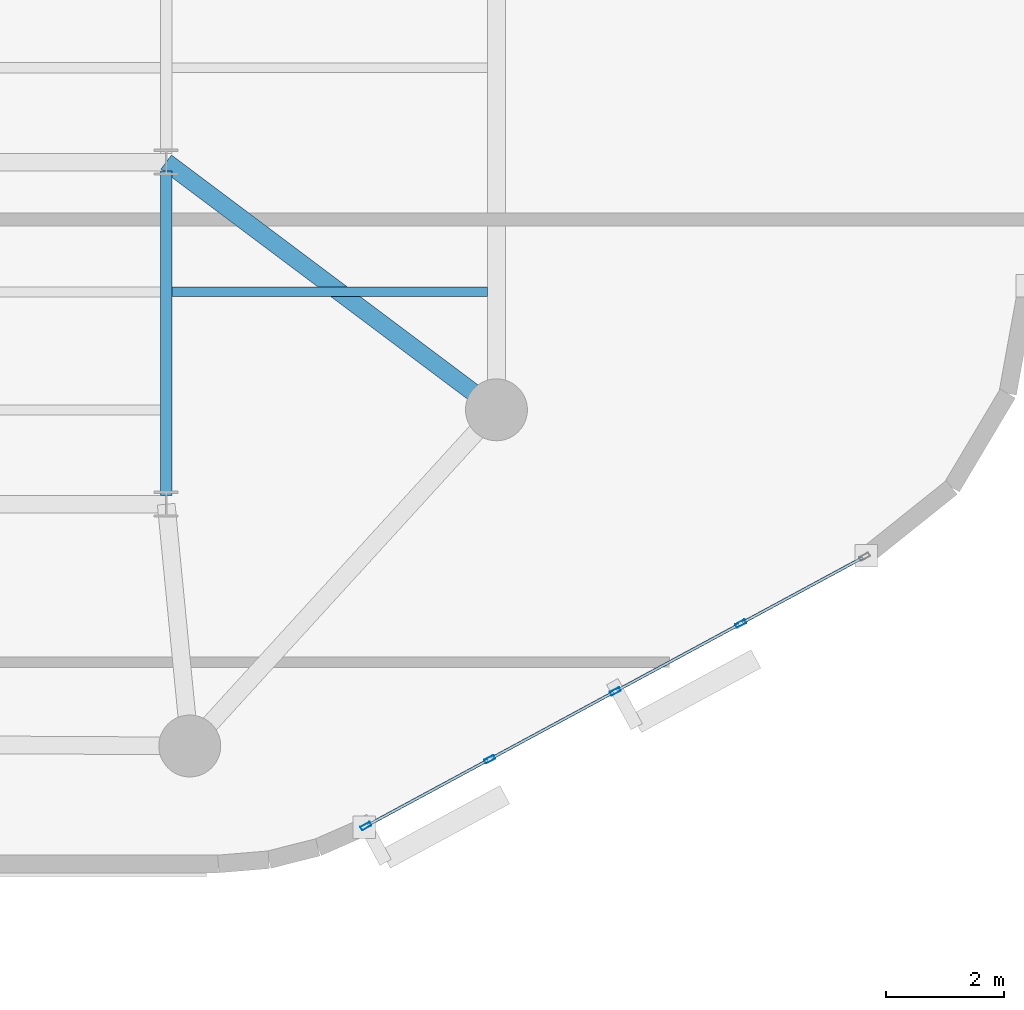
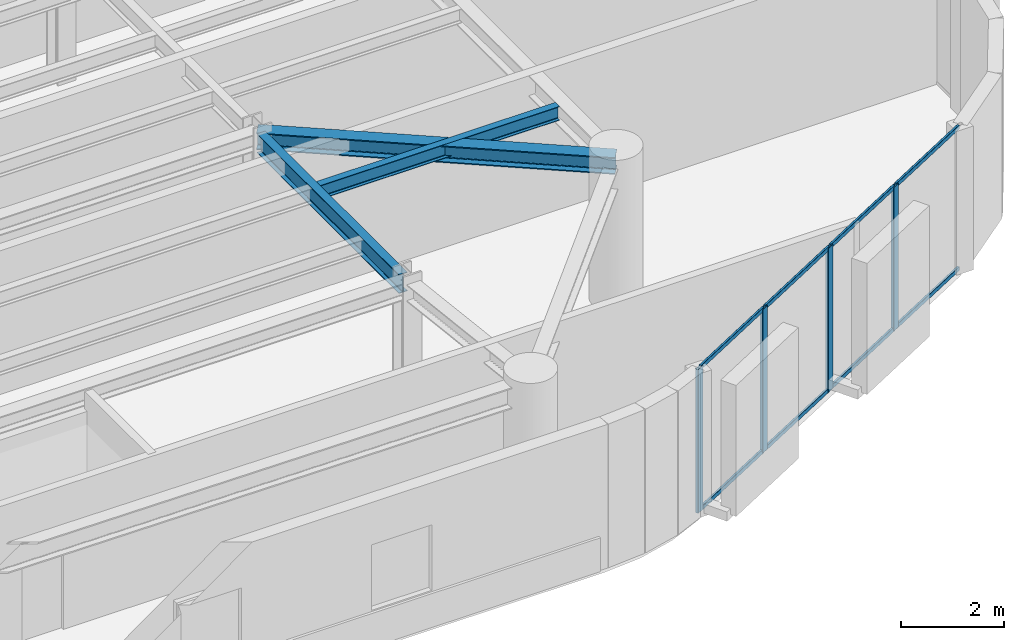
# One storey, part 2 of 13: 12 members, 3 beams, 1 element without a shape of its own.
"""IFC4 building model written with IfcOpenShell, lengths in metres."""

import ifcopenshell
import ifcopenshell.guid

model = None  # the IFC model being written
_history = None  # IfcOwnerHistory: only IFC2X3 demands one
_inside = {}  # id of a spatial element -> (the spatial element, [elements in it])
_under = {}  # id of a project, library or spatial element -> (it, [spatial elements below it])
_declared = {}  # id of a project -> (the project, [libraries it declares])
_typed = {}  # id of a type object -> (the type object, [elements of that type])
_made_of = {}  # id of a material, layer set ... -> (it, [elements and type objects made of it])


def new_model(schema):
    """Start an empty IFC model of exactly this schema.

    Asked for "IFC4X3", IfcOpenShell would pick the latest addendum, in which some entities
    have other attributes; the version numbers below select the first issue.
    IFC2X3 requires an IfcOwnerHistory on every rooted entity: one is made here for all.
    """
    global model, _history
    if schema == "IFC4X3":
        model = ifcopenshell.file(schema_version=(4, 3, 0, 0))
    else:
        model = ifcopenshell.file(schema=schema)
    _inside.clear()
    _under.clear()
    _declared.clear()
    _typed.clear()
    _made_of.clear()
    _history = None
    if model.schema == "IFC2X3":
        org = make("IfcOrganization", Name="unknown")
        user = make(
            "IfcPersonAndOrganization",
            ThePerson=make("IfcPerson", FamilyName="unknown"),
            TheOrganization=org,
        )
        app = make(
            "IfcApplication",
            ApplicationDeveloper=org,
            Version="unknown",
            ApplicationFullName="unknown",
            ApplicationIdentifier="unknown",
        )
        _history = make(
            "IfcOwnerHistory",
            OwningUser=user,
            OwningApplication=app,
            ChangeAction="ADDED",
            CreationDate=0,
        )
    return model


def make(cls, **values):
    """One entity of the class cls with the attributes given. An attribute that is None is left unset."""
    return model.create_entity(
        cls, **{name: value for name, value in values.items() if value is not None}
    )


def rooted(cls, **values):
    """An entity with a GlobalId (a new one), such as an element, a storey or a relation."""
    return make(cls, GlobalId=ifcopenshell.guid.new(), OwnerHistory=_history, **values)


def si_unit(unit_type, name, prefix=None):
    """IfcSIUnit, for example si_unit("LENGTHUNIT", "METRE", prefix="MILLI")."""
    return make("IfcSIUnit", UnitType=unit_type, Prefix=prefix, Name=name)


def assignment(units):
    """IfcUnitAssignment: the units of a project."""
    return None if units is None else make("IfcUnitAssignment", Units=units)


def point(xyz):
    """IfcCartesianPoint."""
    return None if xyz is None else make("IfcCartesianPoint", Coordinates=xyz)


def direction(xyz):
    """IfcDirection."""
    return None if xyz is None else make("IfcDirection", DirectionRatios=xyz)


def frame(location, z_axis=None, x_axis=None):
    """IfcAxis2Placement3D, a coordinate frame: its origin and axes. An axis left out is left unset."""
    return make(
        "IfcAxis2Placement3D",
        Location=point(location),
        Axis=direction(z_axis),
        RefDirection=direction(x_axis),
    )


def frame_2d(location, x_axis=None):
    """IfcAxis2Placement2D, a coordinate frame in the plane: its origin and x axis."""
    return make(
        "IfcAxis2Placement2D", Location=point(location), RefDirection=direction(x_axis)
    )


def origin():
    """The frame at (0, 0, 0) with its axes left unset."""
    return frame((0.0, 0.0, 0.0))


def origin_2d():
    """The frame at (0, 0) in the plane with its x axis left unset."""
    return frame_2d((0.0, 0.0))


def place(relative_to, where):
    """IfcLocalPlacement: puts the frame where relative to a parent placement (None: the world)."""
    return make(
        "IfcLocalPlacement", PlacementRelTo=relative_to, RelativePlacement=where
    )


def context(
    kind, dimensions, precision=None, world=None, true_north=None, identifier=None
):
    """IfcGeometricRepresentationContext, for example the 3D "Model" context."""
    return make(
        "IfcGeometricRepresentationContext",
        ContextIdentifier=identifier,
        ContextType=kind,
        CoordinateSpaceDimension=dimensions,
        Precision=precision,
        WorldCoordinateSystem=world,
        TrueNorth=true_north,
    )


def subcontext(parent, identifier, kind, view, scale=None):
    """IfcGeometricRepresentationSubContext, for example "Body" below "Model"."""
    return make(
        "IfcGeometricRepresentationSubContext",
        ContextIdentifier=identifier,
        ContextType=kind,
        ParentContext=parent,
        TargetScale=scale,
        TargetView=view,
    )


def project(units=None, contexts=None):
    """IfcProject with its units and contexts."""
    return rooted(
        "IfcProject",
        Name="project",
        RepresentationContexts=contexts,
        UnitsInContext=assignment(units),
    )


def spatial(cls, under=None, at=None, **own):
    """A site, building, storey or space (cls), placed at a placement, below another one or the project."""
    s = rooted(cls, ObjectPlacement=at, **own)
    if under is not None:
        _under.setdefault(under.id(), (under, []))[1].append(s)
    return s


def profile(cls, at=None, kind="AREA", **sizes):
    """A parametric profile (cls). Its sizes go by their IFC names, for example OverallWidth=200.0."""
    return make(cls, ProfileType=kind, Position=at, **sizes)


def hollow_rectangle(**sizes):
    """IfcRectangleHollowProfileDef."""
    return profile("IfcRectangleHollowProfileDef", **sizes)


def i_section(**sizes):
    """IfcIShapeProfileDef."""
    return profile("IfcIShapeProfileDef", **sizes)


def extrude(swept, where, along, depth):
    """IfcExtrudedAreaSolid: the profile swept, set in the frame where, extruded along a direction by depth."""
    return make(
        "IfcExtrudedAreaSolid",
        SweptArea=swept,
        Position=where,
        ExtrudedDirection=direction(along),
        Depth=depth,
    )


def shape(context_of_items, identifier, shape_type, items):
    """IfcShapeRepresentation: the items that make up one representation, for example the "Body"."""
    return make(
        "IfcShapeRepresentation",
        ContextOfItems=context_of_items,
        RepresentationIdentifier=identifier,
        RepresentationType=shape_type,
        Items=items,
    )


def material(Name=None, Category=None):
    """IfcMaterial."""
    return make("IfcMaterial", Name=Name, Category=Category)


def layer(
    of_material, thickness, ventilated=None, Name=None, Category=None, Priority=None
):
    """IfcMaterialLayer: one layer of a wall or slab, of a material (None: an air gap)."""
    return make(
        "IfcMaterialLayer",
        Material=of_material,
        LayerThickness=thickness,
        IsVentilated=ventilated,
        Name=Name,
        Category=Category,
        Priority=Priority,
    )


def layer_set(layers, Name=None):
    """IfcMaterialLayerSet."""
    return make("IfcMaterialLayerSet", MaterialLayers=layers, LayerSetName=Name)


def material_profile(
    of_material, cross_section, Name=None, Category=None, Priority=None
):
    """IfcMaterialProfile: a cross section and its material."""
    return make(
        "IfcMaterialProfile",
        Name=Name,
        Material=of_material,
        Profile=cross_section,
        Priority=Priority,
        Category=Category,
    )


def profile_set(profiles, Name=None, composite=None):
    """IfcMaterialProfileSet."""
    return make(
        "IfcMaterialProfileSet",
        Name=Name,
        MaterialProfiles=profiles,
        CompositeProfile=composite,
    )


def made_of(thing, what):
    """Note that an element or type object is made of a material, layer set ...; save() writes the relation."""
    if what is not None:
        _made_of.setdefault(what.id(), (what, []))[1].append(thing)
    return thing


def type_object(cls, material=None, **own):
    """A type object (cls), such as IfcWallType, which elements share."""
    return made_of(rooted(cls, **own), material)


def element(
    cls,
    number,
    at=None,
    inside=None,
    cuts=None,
    type_object=None,
    material=None,
    context=None,
    identifier="Body",
    shape_type=None,
    held_by="IfcProductDefinitionShape",
    body=None,
    shapes=None,
    **own,
):
    """One element of the class cls, such as IfcWall. Its Tag is "e" and its number.

    at: its placement. inside: the storey or other place that contains it. cuts: it is an
    opening in that element (IfcRelVoidsElement). A single representation is given by context,
    identifier, shape_type and body (its items); several are given by shapes. held_by: the class
    of the entity that holds the representations. save() writes the other relations.
    """
    e = rooted(cls, Tag="e%d" % number, ObjectPlacement=at, **own)
    if body is not None:
        shapes = [shape(context, identifier, shape_type, body)]
    if shapes is not None:
        e.Representation = make(held_by, Representations=shapes)
    if inside is not None:
        _inside.setdefault(inside.id(), (inside, []))[1].append(e)
    if cuts is not None:
        rooted(
            "IfcRelVoidsElement", RelatingBuildingElement=cuts, RelatedOpeningElement=e
        )
    if type_object is not None:
        _typed.setdefault(type_object.id(), (type_object, []))[1].append(e)
    return made_of(e, material)


def aggregate(whole, parts):
    """IfcRelAggregates: a whole, such as a stair, and the parts it consists of."""
    return rooted("IfcRelAggregates", RelatingObject=whole, RelatedObjects=parts)


def save(model, path):
    """Write the relations noted so far, then the file.

    IfcRelAggregates (storeys below a building ...), IfcRelContainedInSpatialStructure (elements
    in a storey), IfcRelDefinesByType, IfcRelAssociatesMaterial and IfcRelDeclares: one each for
    every whole, place, type object, material and project.
    """
    for whole, parts in _under.values():
        aggregate(whole, parts)
    for where, things in _inside.values():
        rooted(
            "IfcRelContainedInSpatialStructure",
            RelatedElements=things,
            RelatingStructure=where,
        )
    for kind, things in _typed.values():
        rooted("IfcRelDefinesByType", RelatedObjects=things, RelatingType=kind)
    for what, things in _made_of.values():
        rooted("IfcRelAssociatesMaterial", RelatedObjects=things, RelatingMaterial=what)
    for by, libraries in _declared.values():
        rooted("IfcRelDeclares", RelatingContext=by, RelatedDefinitions=libraries)
    model.write(path)


model = new_model("IFC4")

# Units and contexts
model_context = context("Model", 3, precision=1e-05, world=origin(), true_north=direction((0.0, 1.0)))
body_context = subcontext(model_context, "Body", "Model", "MODEL_VIEW")
ifc_project = project(units=[si_unit("LENGTHUNIT", "METRE"), si_unit("AREAUNIT", "SQUARE_METRE"), si_unit("VOLUMEUNIT", "CUBIC_METRE"), si_unit("PLANEANGLEUNIT", "RADIAN"), si_unit("MASSUNIT", "GRAM", prefix="KILO")], contexts=[model_context])

# Site, building, storey
site_placement = place(None, origin())
site = spatial("IfcSite", under=ifc_project, at=site_placement, CompositionType="ELEMENT")
building_placement = place(site_placement, origin())
building = spatial("IfcBuilding", under=site, at=building_placement, Name="An Khanh Terracotta Commons", CompositionType="ELEMENT")
storey_placement = place(building_placement, frame((0.0, 0.0, 215.699951171875)))
storey = spatial("IfcBuildingStorey", under=building, at=storey_placement, Name="L56", CompositionType="ELEMENT", Elevation=215.699951171875)

# Beams
ifc_material_1 = material(Name="Steel S355J2", Category="steel")
ifc_material_profile_1 = material_profile(ifc_material_1, i_section(OverallWidth=0.300048828125, OverallDepth=0.39990234375, WebThickness=0.013427734375, FlangeThickness=0.02392578125, FilletRadius=0.027099609375, at=origin_2d()), Name="HEB400")
ifc_profile_set_1 = profile_set([ifc_material_profile_1], Name="Steel S355J2")
beam_type_1 = type_object("IfcBeamType", Name="BM-HEB400", PredefinedType="BEAM", material=ifc_profile_set_1)
beam_1_placement = place(storey_placement, frame((59.60009765625, 16.0, 3.199951171875), z_axis=(-0.800008370399, 0.599988839305, 0.0), x_axis=(-0.599988839305, -0.800008370399, 0.0)))
element("IfcBeam", 1, at=beam_1_placement, inside=storey, type_object=beam_type_1, Name="L56 Mega-Column Tie Girder 3", PredefinedType="BEAM", context=body_context, shape_type="SweptSolid", body=[
    extrude(i_section(OverallWidth=0.300048828125, OverallDepth=0.39990234375, WebThickness=0.013427734375, FlangeThickness=0.02392578125, FilletRadius=0.027099609375, at=origin_2d()), origin(), (0.0, 0.0, 1.0), 7.0),
])
ifc_material_profile_2 = material_profile(ifc_material_1, i_section(OverallWidth=0.159912109375, OverallDepth=0.330078125, WebThickness=0.007568359375, FlangeThickness=0.011474609375, FilletRadius=0.01806640625, at=origin_2d()), Name="IPE330")
ifc_profile_set_2 = profile_set([ifc_material_profile_2], Name="Steel S355J2")
beam_type_2 = type_object("IfcBeamType", Name="BM-IPE330", PredefinedType="JOIST", material=ifc_profile_set_2)
beam_2_placement = place(storey_placement, frame((54.094970703125, 18.0, 3.235107421875), z_axis=(1.0, 0.0, 0.0), x_axis=(0.0, 1.0, 0.0)))
element("IfcBeam", 2, at=beam_2_placement, inside=storey, type_object=beam_type_2, Name="L56 Riverfront Composite Joist 2", PredefinedType="JOIST", context=body_context, shape_type="SweptSolid", body=[
    extrude(i_section(OverallWidth=0.159912109375, OverallDepth=0.330078125, WebThickness=0.007568359375, FlangeThickness=0.011474609375, FilletRadius=0.01806640625, at=origin_2d()), origin(), (0.0, 0.0, 1.0), 5.35498046875),
])
ifc_material_profile_3 = material_profile(ifc_material_1, i_section(OverallWidth=0.18994140625, OverallDepth=0.449951171875, WebThickness=0.009521484375, FlangeThickness=0.0146484375, FilletRadius=0.02099609375, at=origin_2d()), Name="IPE450")
ifc_profile_set_3 = profile_set([ifc_material_profile_3], Name="Steel S355J2")
beam_type_3 = type_object("IfcBeamType", Name="BM-IPE450", PredefinedType="JOIST", material=ifc_profile_set_3)
beam_3_placement = place(storey_placement, frame((54.0, 14.550048828125, 3.175048828125), z_axis=(0.0, 1.0, 0.0), x_axis=(-1.0, 0.0, 0.0)))
element("IfcBeam", 3, at=beam_3_placement, inside=storey, type_object=beam_type_3, Name="L56 East Spine Girder 1", PredefinedType="JOIST", context=body_context, shape_type="SweptSolid", body=[
    extrude(i_section(OverallWidth=0.18994140625, OverallDepth=0.449951171875, WebThickness=0.009521484375, FlangeThickness=0.0146484375, FilletRadius=0.02099609375, at=origin_2d()), origin(), (0.0, 0.0, 1.0), 5.5),
])

# Curtain wall, members
ifc_material_2 = material(Name="Anodised Aluminium 6063-T6", Category="aluminium")
ifc_layer = layer(ifc_material_2, 0.2099609375, Name="Anodised Aluminium 6063-T6")
ifc_layer_set = layer_set([ifc_layer], Name="Anodised Aluminium 6063-T6")
curtain_wall_type = type_object("IfcCurtainWallType", Name="CW-SYS-03", PredefinedType="USERDEFINED", material=ifc_layer_set)
curtain_wall_placement = place(storey_placement, origin())
curtain_wall = element("IfcCurtainWall", 4, at=curtain_wall_placement, inside=storey, type_object=curtain_wall_type, Name="L56 CW-03 Unitised Curtain Wall CW-L56-08", ObjectType="UNITISED CURTAIN WALL", PredefinedType="USERDEFINED")
ifc_material_profile_4 = material_profile(ifc_material_2, hollow_rectangle(XDim=0.070068359375, YDim=0.179931640625, WallThickness=0.00390625, InnerFilletRadius=0.00390625, OuterFilletRadius=0.008056640625, at=origin_2d()), Name="RHS180x70x4")
ifc_profile_set_4 = profile_set([ifc_material_profile_4], Name="Anodised Aluminium 6063-T6")
member_type_1 = type_object("IfcMemberType", Name="CWM-RHS180x70x4", PredefinedType="MULLION", material=ifc_profile_set_4)
member_1_placement = place(storey_placement, frame((57.3876953125, 8.941650390625, 0.0), z_axis=(0.0, 0.0, 1.0), x_axis=(-0.47538088298, 0.879780095306, 0.0)))
member_1 = element("IfcMember", 5, at=member_1_placement, type_object=member_type_1, Name="CW-03 mullion 1", PredefinedType="MULLION", context=body_context, shape_type="SweptSolid", body=[
    extrude(hollow_rectangle(XDim=0.070068359375, YDim=0.179931640625, WallThickness=0.00390625, InnerFilletRadius=0.00390625, OuterFilletRadius=0.008056640625, at=origin_2d()), origin(), (0.0, 0.0, 1.0), 3.400146484375),
])
member_2_placement = place(storey_placement, frame((59.48583984375, 10.0751953125, 0.0), z_axis=(0.0, 0.0, 1.0), x_axis=(-0.47538088298, 0.879780095306, 0.0)))
member_2 = element("IfcMember", 6, at=member_2_placement, type_object=member_type_1, Name="CW-03 mullion 2", PredefinedType="MULLION", context=body_context, shape_type="SweptSolid", body=[
    extrude(hollow_rectangle(XDim=0.070068359375, YDim=0.179931640625, WallThickness=0.00390625, InnerFilletRadius=0.00390625, OuterFilletRadius=0.008056640625, at=origin_2d()), origin(), (0.0, 0.0, 1.0), 3.400146484375),
])
member_3_placement = place(storey_placement, frame((61.614501953125, 11.2255859375, 0.0), z_axis=(0.0, 0.0, 1.0), x_axis=(-0.47538088298, 0.879780095306, 0.0)))
member_3 = element("IfcMember", 7, at=member_3_placement, type_object=member_type_1, Name="CW-03 mullion 3", PredefinedType="MULLION", context=body_context, shape_type="SweptSolid", body=[
    extrude(hollow_rectangle(XDim=0.070068359375, YDim=0.179931640625, WallThickness=0.00390625, InnerFilletRadius=0.00390625, OuterFilletRadius=0.008056640625, at=origin_2d()), origin(), (0.0, 0.0, 1.0), 3.400146484375),
])
member_4_placement = place(storey_placement, frame((63.7431640625, 12.375732421875, 0.0), z_axis=(0.0, 0.0, 1.0), x_axis=(-0.47538088298, 0.879780095306, 0.0)))
member_4 = element("IfcMember", 8, at=member_4_placement, type_object=member_type_1, Name="CW-03 mullion 4", PredefinedType="MULLION", context=body_context, shape_type="SweptSolid", body=[
    extrude(hollow_rectangle(XDim=0.070068359375, YDim=0.179931640625, WallThickness=0.00390625, InnerFilletRadius=0.00390625, OuterFilletRadius=0.008056640625, at=origin_2d()), origin(), (0.0, 0.0, 1.0), 3.400146484375),
])
ifc_material_profile_5 = material_profile(ifc_material_2, hollow_rectangle(XDim=0.050048828125, YDim=0.10009765625, WallThickness=0.003173828125, InnerFilletRadius=0.003173828125, OuterFilletRadius=0.00634765625, at=origin_2d()), Name="RHS100x50x3.2")
ifc_profile_set_5 = profile_set([ifc_material_profile_5], Name="Anodised Aluminium 6063-T6")
member_type_2 = type_object("IfcMemberType", Name="CWT-RHS100x50x3.2", PredefinedType="USERDEFINED", material=ifc_profile_set_5)
member_5_placement = place(storey_placement, frame((57.418701171875, 8.958251953125, 0.025146484375), z_axis=(0.879779245677, 0.475382455373, 0.0), x_axis=(-0.475382455373, 0.879779245677, 0.0)))
member_5 = element("IfcMember", 9, at=member_5_placement, type_object=member_type_2, Name="CW-03 transom 1.1", ObjectType="TRANSOM", PredefinedType="USERDEFINED", context=body_context, shape_type="SweptSolid", body=[
    extrude(hollow_rectangle(XDim=0.050048828125, YDim=0.10009765625, WallThickness=0.003173828125, InnerFilletRadius=0.003173828125, OuterFilletRadius=0.00634765625, at=origin_2d()), origin(), (0.0, 0.0, 1.0), 2.314697265625),
])
member_6_placement = place(storey_placement, frame((57.418701171875, 8.958251953125, 3.375), z_axis=(0.879779245677, 0.475382455373, 0.0), x_axis=(-0.475382455373, 0.879779245677, 0.0)))
member_6 = element("IfcMember", 10, at=member_6_placement, type_object=member_type_2, Name="CW-03 transom 1.2", ObjectType="TRANSOM", PredefinedType="USERDEFINED", context=body_context, shape_type="SweptSolid", body=[
    extrude(hollow_rectangle(XDim=0.050048828125, YDim=0.10009765625, WallThickness=0.003173828125, InnerFilletRadius=0.003173828125, OuterFilletRadius=0.00634765625, at=origin_2d()), origin(), (0.0, 0.0, 1.0), 2.314697265625),
])
member_7_placement = place(storey_placement, frame((59.5166015625, 10.091796875, 0.025146484375), z_axis=(0.879782861449, 0.475375763686, 0.0), x_axis=(-0.475375763686, 0.879782861449, 0.0)))
member_7 = element("IfcMember", 11, at=member_7_placement, type_object=member_type_2, Name="CW-03 transom 2.1", ObjectType="TRANSOM", PredefinedType="USERDEFINED", context=body_context, shape_type="SweptSolid", body=[
    extrude(hollow_rectangle(XDim=0.050048828125, YDim=0.10009765625, WallThickness=0.003173828125, InnerFilletRadius=0.003173828125, OuterFilletRadius=0.00634765625, at=origin_2d()), origin(), (0.0, 0.0, 1.0), 2.349609375),
])
member_8_placement = place(storey_placement, frame((59.5166015625, 10.091796875, 3.375), z_axis=(0.879782861449, 0.475375763686, 0.0), x_axis=(-0.475375763686, 0.879782861449, 0.0)))
member_8 = element("IfcMember", 12, at=member_8_placement, type_object=member_type_2, Name="CW-03 transom 2.2", ObjectType="TRANSOM", PredefinedType="USERDEFINED", context=body_context, shape_type="SweptSolid", body=[
    extrude(hollow_rectangle(XDim=0.050048828125, YDim=0.10009765625, WallThickness=0.003173828125, InnerFilletRadius=0.003173828125, OuterFilletRadius=0.00634765625, at=origin_2d()), origin(), (0.0, 0.0, 1.0), 2.349609375),
])
member_9_placement = place(storey_placement, frame((61.645263671875, 11.2421875, 0.025146484375), z_axis=(0.879782861449, 0.475375763686, 0.0), x_axis=(-0.475375763686, 0.879782861449, 0.0)))
member_9 = element("IfcMember", 13, at=member_9_placement, type_object=member_type_2, Name="CW-03 transom 3.1", ObjectType="TRANSOM", PredefinedType="USERDEFINED", context=body_context, shape_type="SweptSolid", body=[
    extrude(hollow_rectangle(XDim=0.050048828125, YDim=0.10009765625, WallThickness=0.003173828125, InnerFilletRadius=0.003173828125, OuterFilletRadius=0.00634765625, at=origin_2d()), origin(), (0.0, 0.0, 1.0), 2.349609375),
])
member_10_placement = place(storey_placement, frame((61.645263671875, 11.2421875, 3.375), z_axis=(0.879782861449, 0.475375763686, 0.0), x_axis=(-0.475375763686, 0.879782861449, 0.0)))
member_10 = element("IfcMember", 14, at=member_10_placement, type_object=member_type_2, Name="CW-03 transom 3.2", ObjectType="TRANSOM", PredefinedType="USERDEFINED", context=body_context, shape_type="SweptSolid", body=[
    extrude(hollow_rectangle(XDim=0.050048828125, YDim=0.10009765625, WallThickness=0.003173828125, InnerFilletRadius=0.003173828125, OuterFilletRadius=0.00634765625, at=origin_2d()), origin(), (0.0, 0.0, 1.0), 2.349609375),
])
member_11_placement = place(storey_placement, frame((63.77392578125, 12.392333984375, 0.025146484375), z_axis=(0.879779245677, 0.475382455373, 0.0), x_axis=(-0.475382455373, 0.879779245677, 0.0)))
member_11 = element("IfcMember", 15, at=member_11_placement, type_object=member_type_2, Name="CW-03 transom 4.1", ObjectType="TRANSOM", PredefinedType="USERDEFINED", context=body_context, shape_type="SweptSolid", body=[
    extrude(hollow_rectangle(XDim=0.050048828125, YDim=0.10009765625, WallThickness=0.003173828125, InnerFilletRadius=0.003173828125, OuterFilletRadius=0.00634765625, at=origin_2d()), origin(), (0.0, 0.0, 1.0), 2.314697265625),
])
member_12_placement = place(storey_placement, frame((63.77392578125, 12.392333984375, 3.375), z_axis=(0.879779245677, 0.475382455373, 0.0), x_axis=(-0.475382455373, 0.879779245677, 0.0)))
member_12 = element("IfcMember", 16, at=member_12_placement, type_object=member_type_2, Name="CW-03 transom 4.2", ObjectType="TRANSOM", PredefinedType="USERDEFINED", context=body_context, shape_type="SweptSolid", body=[
    extrude(hollow_rectangle(XDim=0.050048828125, YDim=0.10009765625, WallThickness=0.003173828125, InnerFilletRadius=0.003173828125, OuterFilletRadius=0.00634765625, at=origin_2d()), origin(), (0.0, 0.0, 1.0), 2.314697265625),
])
aggregate(curtain_wall, [member_1, member_2, member_3, member_4, member_5, member_6, member_7, member_8, member_9, member_10, member_11, member_12])

save(model, "model.ifc")
